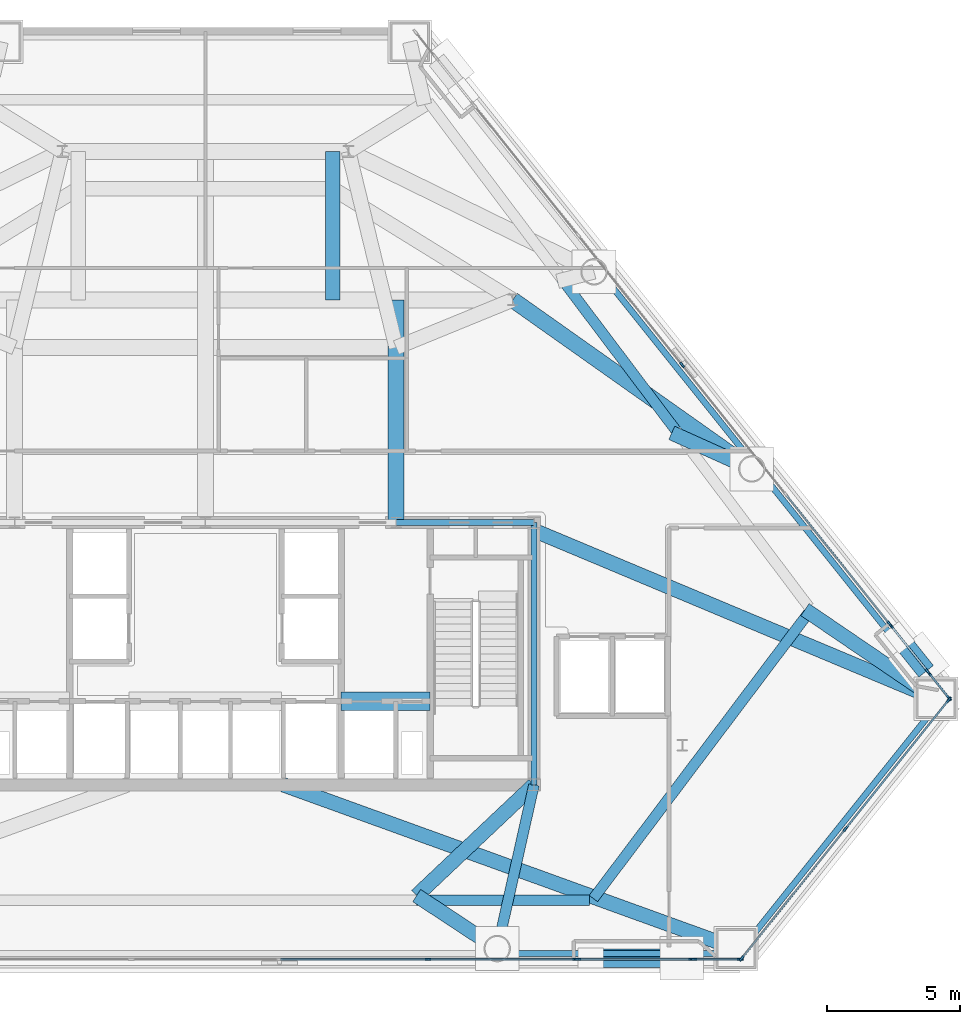
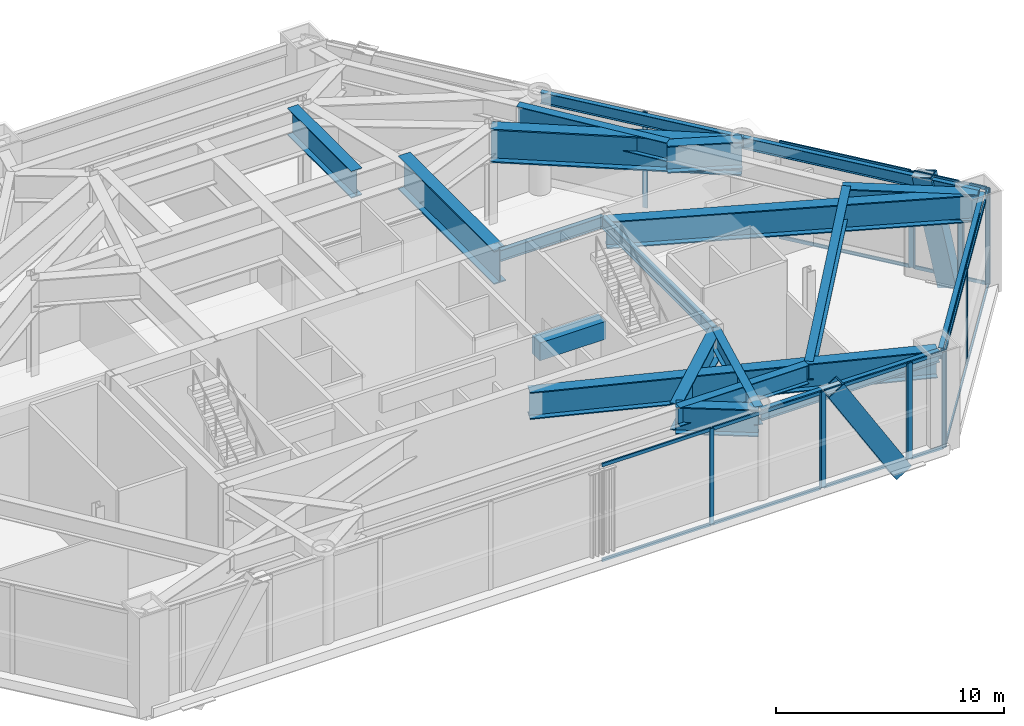
# One storey, part 5 of 13: 35 members, 20 beams, 7 elements without a shape of their own.
"""IFC4 building model written with IfcOpenShell, lengths in metres."""

from ifc_helpers import new_model, si_unit, direction, frame, origin, origin_2d, place, context, subcontext, project, spatial, rectangle, hollow_rectangle, i_section, extrude, material, layer, layer_set, material_profile, profile_set, type_object, element, aggregate, save


model = new_model("IFC4")

# Units and contexts
model_context = context("Model", 3, precision=1e-05, world=origin(), true_north=direction((0.0, 1.0)))
body_context = subcontext(model_context, "Body", "Model", "MODEL_VIEW")
ifc_project = project(units=[si_unit("LENGTHUNIT", "METRE"), si_unit("AREAUNIT", "SQUARE_METRE"), si_unit("VOLUMEUNIT", "CUBIC_METRE"), si_unit("PLANEANGLEUNIT", "RADIAN"), si_unit("MASSUNIT", "GRAM", prefix="KILO")], contexts=[model_context])

# Site, building, storey
site_placement = place(None, origin())
site = spatial("IfcSite", under=ifc_project, at=site_placement, CompositionType="ELEMENT")
building_placement = place(site_placement, origin())
building = spatial("IfcBuilding", under=site, at=building_placement, Name="Talgorran Terracotta Tower", CompositionType="ELEMENT")
storey_placement = place(building_placement, frame((0.0, 0.0, 18.89990234375)))
storey = spatial("IfcBuildingStorey", under=building, at=storey_placement, Name="L04", CompositionType="ELEMENT", Elevation=18.89990234375)

# Beams
ifc_material_1 = material(Name="Steel Grade 350 (350L0)", Category="steel")
ifc_material_profile_1 = material_profile(ifc_material_1, i_section(OverallWidth=0.39990234375, OverallDepth=1.0, WebThickness=0.01611328125, FlangeThickness=0.031005859375, at=origin_2d()), Name="1000WB296")
ifc_profile_set_1 = profile_set([ifc_material_profile_1], Name="Steel Grade 350 (350L0)")
beam_type_1 = type_object("IfcBeamType", Name="BM_1000WB296", PredefinedType="BEAM", material=ifc_profile_set_1)
beam_1_placement = place(storey_placement, frame((12.39990234375, -14.10009765625, 4.650146484375), z_axis=(-0.219093011867, -0.975703977726, 0.0), x_axis=(0.975703977726, -0.219093011867, 0.0)))
element("IfcBeam", 1, at=beam_1_placement, inside=storey, type_object=beam_type_1, Name="L04 South-East Core Tie Beam", PredefinedType="BEAM", context=body_context, shape_type="SweptSolid", body=[
    extrude(i_section(OverallWidth=0.39990234375, OverallDepth=1.0, WebThickness=0.01611328125, FlangeThickness=0.031005859375, at=origin_2d()), origin(), (0.0, 0.0, 1.0), 6.333740234375),
])
beam_2_placement = place(storey_placement, frame((7.97265625, -18.4599609375, 4.650146484375), z_axis=(1.0, 0.0, 0.0), x_axis=(0.0, 1.0, 0.0)))
element("IfcBeam", 2, at=beam_2_placement, inside=storey, type_object=beam_type_1, Name="L04 Setback Inner Spandrel Girder 4", PredefinedType="BEAM", context=body_context, shape_type="SweptSolid", body=[
    extrude(i_section(OverallWidth=0.39990234375, OverallDepth=1.0, WebThickness=0.01611328125, FlangeThickness=0.031005859375, at=origin_2d()), origin(), (0.0, 0.0, 1.0), 6.523193359375),
])
beam_3_placement = place(storey_placement, frame((14.6396484375, -18.38818359375, 4.650146484375), z_axis=(0.601820005964, 0.798631755205, 0.0), x_axis=(-0.798631755205, 0.601820005964, 0.0)))
element("IfcBeam", 3, at=beam_3_placement, inside=storey, type_object=beam_type_1, Name="L04 Setback Inner Spandrel Girder 5", PredefinedType="BEAM", context=body_context, shape_type="SweptSolid", body=[
    extrude(i_section(OverallWidth=0.39990234375, OverallDepth=1.0, WebThickness=0.01611328125, FlangeThickness=0.031005859375, at=origin_2d()), origin(), (0.0, 0.0, 1.0), 13.510009765625),
])
beam_4_placement = place(storey_placement, frame((17.7431640625, -0.710693359375, 4.650146484375), z_axis=(-0.601837001902, 0.798618947397, 0.0), x_axis=(-0.798618947397, -0.601837001902, 0.0)))
element("IfcBeam", 4, at=beam_4_placement, inside=storey, type_object=beam_type_1, Name="L04 Setback Inner Spandrel Girder 7", PredefinedType="BEAM", context=body_context, shape_type="SweptSolid", body=[
    extrude(i_section(OverallWidth=0.39990234375, OverallDepth=1.0, WebThickness=0.01611328125, FlangeThickness=0.031005859375, at=origin_2d()), origin(), (0.0, 0.0, 1.0), 7.159912109375),
])
ifc_material_2 = material(Name="Concrete C65/80", Category="concrete")
ifc_material_profile_2 = material_profile(ifc_material_2, rectangle(XDim=0.699951171875, YDim=0.949951171875, at=origin_2d()), Name="RCCB700X950")
ifc_profile_set_2 = profile_set([ifc_material_profile_2], Name="Concrete C65/80")
beam_type_2 = type_object("IfcBeamType", Name="BM_CB_700X950", PredefinedType="LINTEL", material=ifc_profile_set_2)
beam_5_placement = place(storey_placement, frame((5.1201171875, -10.949951171875, 4.675048828125), z_axis=(1.0, 0.0, 0.0), x_axis=(0.0, 1.0, 0.0)))
element("IfcBeam", 5, at=beam_5_placement, inside=storey, type_object=beam_type_2, Name="L04 Core Shear-Wall Coupling Beam CB3", PredefinedType="LINTEL", context=body_context, shape_type="SweptSolid", body=[
    extrude(rectangle(XDim=0.699951171875, YDim=0.949951171875, at=origin_2d()), origin(), (0.0, 0.0, 1.0), 3.35986328125),
])
ifc_material_3 = material(Name="Steel S355 (300PLUS)", Category="steel")
ifc_material_profile_3 = material_profile(ifc_material_3, i_section(OverallWidth=0.22900390625, OverallDepth=0.611572265625, WebThickness=0.011962890625, FlangeThickness=0.01953125, at=origin_2d()), Name="610UB125")
ifc_profile_set_3 = profile_set([ifc_material_profile_3], Name="Steel S355 (300PLUS)")
beam_type_3 = type_object("IfcBeamType", Name="BM_SP_610UB125", PredefinedType="SPANDREL", material=ifc_profile_set_3)
beam_6_placement = place(storey_placement, frame((11.01220703125, -20.4599609375, 4.84423828125), z_axis=(1.0, 0.0, 0.0), x_axis=(0.0, 1.0, 0.0)))
element("IfcBeam", 6, at=beam_6_placement, inside=storey, type_object=beam_type_3, Name="L04 Perimeter Spandrel Beam FC2-MC3", PredefinedType="SPANDREL", context=body_context, shape_type="SweptSolid", body=[
    extrude(i_section(OverallWidth=0.22900390625, OverallDepth=0.611572265625, WebThickness=0.011962890625, FlangeThickness=0.01953125, at=origin_2d()), origin(), (0.0, 0.0, 1.0), 9.010009765625),
])
beam_7_placement = place(storey_placement, frame((20.16259765625, -20.392578125, 4.84423828125), z_axis=(0.625116627788, 0.780531358539, 0.0), x_axis=(-0.780531358539, 0.625116627788, 0.0)))
element("IfcBeam", 7, at=beam_7_placement, inside=storey, type_object=beam_type_3, Name="L04 Perimeter Spandrel Beam MC3-MC4", PredefinedType="SPANDREL", context=body_context, shape_type="SweptSolid", body=[
    extrude(i_section(OverallWidth=0.22900390625, OverallDepth=0.611572265625, WebThickness=0.011962890625, FlangeThickness=0.01953125, at=origin_2d()), origin(), (0.0, 0.0, 1.0), 12.073974609375),
])
beam_8_placement = place(storey_placement, frame((27.710205078125, -10.743408203125, 4.84423828125), z_axis=(-0.625126142132, 0.780523738539, 0.0), x_axis=(-0.780523738539, -0.625126142132, 0.0)))
element("IfcBeam", 8, at=beam_8_placement, inside=storey, type_object=beam_type_3, Name="L04 Perimeter Spandrel Beam MC4-FC3", PredefinedType="SPANDREL", context=body_context, shape_type="SweptSolid", body=[
    extrude(i_section(OverallWidth=0.22900390625, OverallDepth=0.611572265625, WebThickness=0.011962890625, FlangeThickness=0.01953125, at=origin_2d()), origin(), (0.0, 0.0, 1.0), 11.116943359375),
])
beam_9_placement = place(storey_placement, frame((20.7607421875, -2.06640625, 4.84423828125), z_axis=(-0.625101149619, 0.780543754536, 0.0), x_axis=(-0.780543754536, -0.625101149619, 0.0)))
element("IfcBeam", 9, at=beam_9_placement, inside=storey, type_object=beam_type_3, Name="L04 Perimeter Spandrel Beam FC3-FC4", PredefinedType="SPANDREL", context=body_context, shape_type="SweptSolid", body=[
    extrude(i_section(OverallWidth=0.22900390625, OverallDepth=0.611572265625, WebThickness=0.011962890625, FlangeThickness=0.01953125, at=origin_2d()), origin(), (0.0, 0.0, 1.0), 9.52880859375),
])
beam_10_placement = place(storey_placement, frame((12.39990234375, -14.10009765625, 4.84423828125), z_axis=(0.0, 1.0, 0.0), x_axis=(-1.0, 0.0, 0.0)))
element("IfcBeam", 10, at=beam_10_placement, inside=storey, type_object=beam_type_3, Name="L04 Core Frame Beam CFE", PredefinedType="SPANDREL", context=body_context, shape_type="SweptSolid", body=[
    extrude(i_section(OverallWidth=0.22900390625, OverallDepth=0.611572265625, WebThickness=0.011962890625, FlangeThickness=0.01953125, at=origin_2d()), origin(), (0.0, 0.0, 1.0), 9.900146484375),
])
beam_11_placement = place(storey_placement, frame((7.199951171875, -4.199951171875, 4.84423828125), z_axis=(1.0, 0.0, 0.0), x_axis=(0.0, 1.0, 0.0)))
element("IfcBeam", 11, at=beam_11_placement, inside=storey, type_object=beam_type_3, Name="L04 Core Frame Beam CFN4", PredefinedType="SPANDREL", context=body_context, shape_type="SweptSolid", body=[
    extrude(i_section(OverallWidth=0.22900390625, OverallDepth=0.611572265625, WebThickness=0.011962890625, FlangeThickness=0.01953125, at=origin_2d()), origin(), (0.0, 0.0, 1.0), 5.199951171875),
])
ifc_material_profile_4 = material_profile(ifc_material_1, i_section(OverallWidth=0.550048828125, OverallDepth=1.449951171875, WebThickness=0.031982421875, FlangeThickness=0.054931640625, at=origin_2d()), Name="TG1450X550")
ifc_profile_set_4 = profile_set([ifc_material_profile_4], Name="Steel Grade 350 (350L0)")
beam_type_4 = type_object("IfcBeamType", Name="BM_TG_1450", PredefinedType="BEAM", material=ifc_profile_set_4)
beam_12_placement = place(storey_placement, frame((11.01220703125, -20.280029296875, 4.425048828125), z_axis=(-0.835379785205, 0.549673188787, 0.0), x_axis=(-0.549673188787, -0.835379785205, 0.0)))
element("IfcBeam", 12, at=beam_12_placement, inside=storey, type_object=beam_type_4, Name="L04 Transfer Girder 4A", PredefinedType="BEAM", context=body_context, shape_type="SweptSolid", body=[
    extrude(i_section(OverallWidth=0.550048828125, OverallDepth=1.449951171875, WebThickness=0.031982421875, FlangeThickness=0.054931640625, at=origin_2d()), origin(), (0.0, 0.0, 1.0), 3.638427734375),
])
beam_13_placement = place(storey_placement, frame((7.97265625, -18.280029296875, 4.425048828125), z_axis=(0.727124342691, 0.686505783126, 0.0), x_axis=(-0.686505783126, 0.727124342691, 0.0)))
element("IfcBeam", 13, at=beam_13_placement, inside=storey, type_object=beam_type_4, Name="L04 Transfer Girder 4B", PredefinedType="BEAM", context=body_context, shape_type="SweptSolid", body=[
    extrude(i_section(OverallWidth=0.550048828125, OverallDepth=1.449951171875, WebThickness=0.031982421875, FlangeThickness=0.054931640625, at=origin_2d()), origin(), (0.0, 0.0, 1.0), 6.088623046875),
])
beam_14_placement = place(storey_placement, frame((20.022216796875, -20.280029296875, 4.425048828125), z_axis=(-0.940317108943, 0.340299477856, 0.0), x_axis=(-0.340299477856, -0.940317108943, 0.0)))
element("IfcBeam", 14, at=beam_14_placement, inside=storey, type_object=beam_type_4, Name="L04 Transfer Girder 5", PredefinedType="BEAM", context=body_context, shape_type="SweptSolid", body=[
    extrude(i_section(OverallWidth=0.550048828125, OverallDepth=1.449951171875, WebThickness=0.031982421875, FlangeThickness=0.054931640625, at=origin_2d()), origin(), (0.0, 0.0, 1.0), 18.16015625),
])
beam_15_placement = place(storey_placement, frame((27.56982421875, -10.85595703125, 4.425048828125), z_axis=(-0.922316262941, 0.38643590816, 0.0), x_axis=(-0.38643590816, -0.922316262941, 0.0)))
element("IfcBeam", 15, at=beam_15_placement, inside=storey, type_object=beam_type_4, Name="L04 Transfer Girder 6", PredefinedType="BEAM", context=body_context, shape_type="SweptSolid", body=[
    extrude(i_section(OverallWidth=0.550048828125, OverallDepth=1.449951171875, WebThickness=0.031982421875, FlangeThickness=0.054931640625, at=origin_2d()), origin(), (0.0, 0.0, 1.0), 16.44775390625),
])
beam_16_placement = place(storey_placement, frame((27.56982421875, -10.85595703125, 4.425048828125), z_axis=(-0.826615814454, 0.56276664373, 0.0), x_axis=(-0.56276664373, -0.826615814454, 0.0)))
element("IfcBeam", 16, at=beam_16_placement, inside=storey, type_object=beam_type_4, Name="L04 Transfer Girder 6A", PredefinedType="BEAM", context=body_context, shape_type="SweptSolid", body=[
    extrude(i_section(OverallWidth=0.550048828125, OverallDepth=1.449951171875, WebThickness=0.031982421875, FlangeThickness=0.054931640625, at=origin_2d()), origin(), (0.0, 0.0, 1.0), 5.980224609375),
])
beam_17_placement = place(storey_placement, frame((20.620361328125, -2.1787109375, 4.425048828125), z_axis=(-0.911902199441, 0.410407576264, 0.0), x_axis=(-0.410407576264, -0.911902199441, 0.0)))
element("IfcBeam", 17, at=beam_17_placement, inside=storey, type_object=beam_type_4, Name="L04 Transfer Girder 7A", PredefinedType="BEAM", context=body_context, shape_type="SweptSolid", body=[
    extrude(i_section(OverallWidth=0.550048828125, OverallDepth=1.449951171875, WebThickness=0.031982421875, FlangeThickness=0.054931640625, at=origin_2d()), origin(), (0.0, 0.0, 1.0), 3.312744140625),
])
beam_18_placement = place(storey_placement, frame((4.800048828125, 4.199951171875, 4.425048828125), z_axis=(0.0, 1.0, 0.0), x_axis=(-1.0, 0.0, 0.0)))
element("IfcBeam", 18, at=beam_18_placement, inside=storey, type_object=beam_type_4, Name="L04 Transfer Girder TG13E", PredefinedType="BEAM", context=body_context, shape_type="SweptSolid", body=[
    extrude(i_section(OverallWidth=0.550048828125, OverallDepth=1.449951171875, WebThickness=0.031982421875, FlangeThickness=0.054931640625, at=origin_2d()), origin(), (0.0, 0.0, 1.0), 5.60009765625),
])
ifc_material_profile_5 = material_profile(ifc_material_1, i_section(OverallWidth=0.60009765625, OverallDepth=1.800048828125, WebThickness=0.035888671875, FlangeThickness=0.06494140625, at=origin_2d()), Name="TG1800X600")
ifc_profile_set_5 = profile_set([ifc_material_profile_5], Name="Steel Grade 350 (350L0)")
beam_type_5 = type_object("IfcBeamType", Name="BM_TG_1800", PredefinedType="BEAM", material=ifc_profile_set_5)
beam_19_placement = place(storey_placement, frame((11.60009765625, 4.199951171875, 4.25), z_axis=(0.816480686171, -0.577372747113, 0.0), x_axis=(0.577372747113, 0.816480686171, 0.0)))
element("IfcBeam", 19, at=beam_19_placement, inside=storey, type_object=beam_type_5, Name="L04 Transfer Girder TG04B", PredefinedType="BEAM", context=body_context, shape_type="SweptSolid", body=[
    extrude(i_section(OverallWidth=0.60009765625, OverallDepth=1.800048828125, WebThickness=0.035888671875, FlangeThickness=0.06494140625, at=origin_2d()), origin(), (0.0, 0.0, 1.0), 11.0478515625),
])
beam_20_placement = place(storey_placement, frame((7.199951171875, -4.199951171875, 4.25), z_axis=(0.0, 1.0, 0.0), x_axis=(-1.0, 0.0, 0.0)))
element("IfcBeam", 20, at=beam_20_placement, inside=storey, type_object=beam_type_5, Name="L04 Transfer Girder TG02", PredefinedType="BEAM", context=body_context, shape_type="SweptSolid", body=[
    extrude(i_section(OverallWidth=0.60009765625, OverallDepth=1.800048828125, WebThickness=0.035888671875, FlangeThickness=0.06494140625, at=origin_2d()), origin(), (0.0, 0.0, 1.0), 8.39990234375),
])

# Members
ifc_material_profile_6 = material_profile(ifc_material_1, hollow_rectangle(XDim=0.699951171875, YDim=0.89990234375, WallThickness=0.050048828125, at=origin_2d()), Name="WBOX900X700X50")
ifc_profile_set_6 = profile_set([ifc_material_profile_6], Name="Steel Grade 350 (350L0)")
member_type_1 = type_object("IfcMemberType", Name="MB_MEGA_900", PredefinedType="BRACE", material=ifc_profile_set_6)
member_1_placement = place(storey_placement, frame((17.9736328125, -20.639892578125, -0.419921875), z_axis=(-0.522997183998, 0.0, 0.852334409449), x_axis=(0.0, -1.0, 0.0)))
element("IfcMember", 21, at=member_1_placement, inside=storey, type_object=member_type_1, Name="L04 Exterior Face Mega-Brace MB-1 (SEF)", PredefinedType="BRACE", context=body_context, shape_type="SweptSolid", body=[
    extrude(hollow_rectangle(XDim=0.699951171875, YDim=0.89990234375, WallThickness=0.050048828125, at=origin_2d()), origin(), (0.0, 0.0, 1.0), 6.564208984375),
])
member_2_placement = place(storey_placement, frame((26.923095703125, -9.47265625, -0.419921875), z_axis=(-0.13029399466, 0.162686114525, 0.978037168566), x_axis=(-0.780529099081, -0.625119448976, 0.0)))
element("IfcMember", 22, at=member_2_placement, inside=storey, type_object=member_type_1, Name="L04 Exterior Face Mega-Brace MB-1 (NEL)", PredefinedType="BRACE", context=body_context, shape_type="SweptSolid", body=[
    extrude(hollow_rectangle(XDim=0.699951171875, YDim=0.89990234375, WallThickness=0.050048828125, at=origin_2d()), origin(), (0.0, 0.0, 1.0), 5.720703125),
])

# Curtain wall, members
ifc_material_4 = material(Name="Terracotta and Low-E Glazing", Category="masonry")
ifc_layer = layer(ifc_material_4, 0.219970703125, Name="CW_SYS1_PODIUM")
ifc_layer_set = layer_set([ifc_layer], Name="Terracotta and Low-E Glazing")
curtain_wall_type = type_object("IfcCurtainWallType", Name="CW_SYS1_PODIUM", PredefinedType="NOTDEFINED", material=ifc_layer_set)
curtain_wall_1_placement = place(storey_placement, origin())
curtain_wall_1 = element("IfcCurtainWall", 23, at=curtain_wall_1_placement, inside=storey, type_object=curtain_wall_type, Name="CW-L04-F1C", PredefinedType="NOTDEFINED")
ifc_material_5 = material(Name="Architectural Aluminium 6063-T6", Category="aluminium")
ifc_material_profile_7 = material_profile(ifc_material_5, rectangle(XDim=0.074951171875, YDim=0.219970703125, at=origin_2d()), Name="CWM75X220")
ifc_profile_set_7 = profile_set([ifc_material_profile_7], Name="Architectural Aluminium 6063-T6")
member_type_2 = type_object("IfcMemberType", Name="MUL_75X220", PredefinedType="MULLION", material=ifc_profile_set_7)
member_3_placement = place(storey_placement, frame((8.401123046875, -20.679931640625, 0.0), z_axis=(0.0, 0.0, 1.0), x_axis=(0.0, 1.0, 0.0)))
member_3 = element("IfcMember", 24, at=member_3_placement, type_object=member_type_2, Name="CW-L04-1C mullion 5", PredefinedType="MULLION", context=body_context, shape_type="SweptSolid", body=[
    extrude(rectangle(XDim=0.074951171875, YDim=0.219970703125, at=origin_2d()), origin(), (0.0, 0.0, 1.0), 5.150146484375),
])
member_4_placement = place(storey_placement, frame((13.964599609375, -20.679931640625, 0.0), z_axis=(0.0, 0.0, 1.0), x_axis=(0.0, 1.0, 0.0)))
member_4 = element("IfcMember", 25, at=member_4_placement, type_object=member_type_2, Name="CW-L04-1C mullion 6", PredefinedType="MULLION", context=body_context, shape_type="SweptSolid", body=[
    extrude(rectangle(XDim=0.074951171875, YDim=0.219970703125, at=origin_2d()), origin(), (0.0, 0.0, 1.0), 5.150146484375),
])

curtain_wall_2_placement = place(storey_placement, origin())
curtain_wall_2 = element("IfcCurtainWall", 26, at=curtain_wall_2_placement, inside=storey, type_object=curtain_wall_type, Name="CW-L04-F1D", PredefinedType="NOTDEFINED")
member_5_placement = place(storey_placement, frame((14.049560546875, -20.679931640625, 0.0), z_axis=(0.0, 0.0, 1.0), x_axis=(0.0, 1.0, 0.0)))
member_5 = element("IfcMember", 27, at=member_5_placement, type_object=member_type_2, Name="CW-L04-1D mullion 1", PredefinedType="MULLION", context=body_context, shape_type="SweptSolid", body=[
    extrude(rectangle(XDim=0.074951171875, YDim=0.219970703125, at=origin_2d()), origin(), (0.0, 0.0, 1.0), 5.150146484375),
])
member_6_placement = place(storey_placement, frame((18.351318359375, -20.679931640625, 0.0), z_axis=(0.0, 0.0, 1.0), x_axis=(0.0, 1.0, 0.0)))
member_6 = element("IfcMember", 28, at=member_6_placement, type_object=member_type_2, Name="CW-L04-1D mullion 2", PredefinedType="MULLION", context=body_context, shape_type="SweptSolid", body=[
    extrude(rectangle(XDim=0.074951171875, YDim=0.219970703125, at=origin_2d()), origin(), (0.0, 0.0, 1.0), 5.150146484375),
])

curtain_wall_3_placement = place(storey_placement, origin())
curtain_wall_3 = element("IfcCurtainWall", 29, at=curtain_wall_3_placement, inside=storey, type_object=curtain_wall_type, Name="CW-L04-F1E", PredefinedType="NOTDEFINED")
member_7_placement = place(storey_placement, frame((18.436279296875, -20.679931640625, 0.0), z_axis=(0.0, 0.0, 1.0), x_axis=(0.0, 1.0, 0.0)))
member_7 = element("IfcMember", 30, at=member_7_placement, type_object=member_type_2, Name="CW-L04-1E mullion 1", PredefinedType="MULLION", context=body_context, shape_type="SweptSolid", body=[
    extrude(rectangle(XDim=0.074951171875, YDim=0.219970703125, at=origin_2d()), origin(), (0.0, 0.0, 1.0), 5.150146484375),
])
member_8_placement = place(storey_placement, frame((20.177001953125, -20.679931640625, 0.0), z_axis=(0.0, 0.0, 1.0), x_axis=(0.0, 1.0, 0.0)))
member_8 = element("IfcMember", 31, at=member_8_placement, type_object=member_type_2, Name="CW-L04-1E mullion 2", PredefinedType="MULLION", context=body_context, shape_type="SweptSolid", body=[
    extrude(rectangle(XDim=0.074951171875, YDim=0.219970703125, at=origin_2d()), origin(), (0.0, 0.0, 1.0), 5.150146484375),
])

curtain_wall_4_placement = place(storey_placement, origin())
curtain_wall_4 = element("IfcCurtainWall", 32, at=curtain_wall_4_placement, inside=storey, type_object=curtain_wall_type, Name="CW-L04-F2", PredefinedType="NOTDEFINED")
member_9_placement = place(storey_placement, frame((20.23779296875, -20.650634765625, 0.0), z_axis=(0.0, 0.0, 1.0), x_axis=(-0.780531511293, 0.625116437056, 0.0)))
member_9 = element("IfcMember", 33, at=member_9_placement, type_object=member_type_2, Name="CW-L04-2 mullion 1", PredefinedType="MULLION", context=body_context, shape_type="SweptSolid", body=[
    extrude(rectangle(XDim=0.074951171875, YDim=0.219970703125, at=origin_2d()), origin(), (0.0, 0.0, 1.0), 5.150146484375),
])
member_10_placement = place(storey_placement, frame((24.1484375, -15.76806640625, 0.0), z_axis=(0.0, 0.0, 1.0), x_axis=(-0.780531511293, 0.625116437056, 0.0)))
member_10 = element("IfcMember", 34, at=member_10_placement, type_object=member_type_2, Name="CW-L04-2 mullion 2", PredefinedType="MULLION", context=body_context, shape_type="SweptSolid", body=[
    extrude(rectangle(XDim=0.074951171875, YDim=0.219970703125, at=origin_2d()), origin(), (0.0, 0.0, 1.0), 5.150146484375),
])
member_11_placement = place(storey_placement, frame((28.058837890625, -10.88525390625, 0.0), z_axis=(0.0, 0.0, 1.0), x_axis=(-0.780531511293, 0.625116437056, 0.0)))
member_11 = element("IfcMember", 35, at=member_11_placement, type_object=member_type_2, Name="CW-L04-2 mullion 3", PredefinedType="MULLION", context=body_context, shape_type="SweptSolid", body=[
    extrude(rectangle(XDim=0.074951171875, YDim=0.219970703125, at=origin_2d()), origin(), (0.0, 0.0, 1.0), 5.150146484375),
])

curtain_wall_5_placement = place(storey_placement, origin())
curtain_wall_5 = element("IfcCurtainWall", 36, at=curtain_wall_5_placement, inside=storey, type_object=curtain_wall_type, Name="CW-L04-F3", PredefinedType="NOTDEFINED")
member_12_placement = place(storey_placement, frame((28.058837890625, -10.82666015625, 0.0), z_axis=(0.0, 0.0, 1.0), x_axis=(-0.780548295566, -0.625095479338, 0.0)))
member_12 = element("IfcMember", 37, at=member_12_placement, type_object=member_type_2, Name="CW-L04-3 mullion 1", PredefinedType="MULLION", context=body_context, shape_type="SweptSolid", body=[
    extrude(rectangle(XDim=0.074951171875, YDim=0.219970703125, at=origin_2d()), origin(), (0.0, 0.0, 1.0), 5.150146484375),
])
member_13_placement = place(storey_placement, frame((27.306396484375, -9.886962890625, 0.0), z_axis=(0.0, 0.0, 1.0), x_axis=(-0.780548295566, -0.625095479338, 0.0)))
member_13 = element("IfcMember", 38, at=member_13_placement, type_object=member_type_2, Name="CW-L04-3 mullion 2", PredefinedType="MULLION", context=body_context, shape_type="SweptSolid", body=[
    extrude(rectangle(XDim=0.074951171875, YDim=0.219970703125, at=origin_2d()), origin(), (0.0, 0.0, 1.0), 5.150146484375),
])

curtain_wall_6_placement = place(storey_placement, origin())
curtain_wall_6 = element("IfcCurtainWall", 39, at=curtain_wall_6_placement, inside=storey, type_object=curtain_wall_type, Name="CW-L04-F3B", PredefinedType="NOTDEFINED")
member_14_placement = place(storey_placement, frame((27.253173828125, -9.82080078125, 0.0), z_axis=(0.0, 0.0, 1.0), x_axis=(-0.780541073013, -0.625104497936, 0.0)))
member_14 = element("IfcMember", 40, at=member_14_placement, type_object=member_type_2, Name="CW-L04-3B mullion 1", PredefinedType="MULLION", context=body_context, shape_type="SweptSolid", body=[
    extrude(rectangle(XDim=0.074951171875, YDim=0.219970703125, at=origin_2d()), origin(), (0.0, 0.0, 1.0), 5.150146484375),
])
member_15_placement = place(storey_placement, frame((25.86669921875, -8.089599609375, 0.0), z_axis=(0.0, 0.0, 1.0), x_axis=(-0.780541073013, -0.625104497936, 0.0)))
member_15 = element("IfcMember", 41, at=member_15_placement, type_object=member_type_2, Name="CW-L04-3B mullion 2", PredefinedType="MULLION", context=body_context, shape_type="SweptSolid", body=[
    extrude(rectangle(XDim=0.074951171875, YDim=0.219970703125, at=origin_2d()), origin(), (0.0, 0.0, 1.0), 5.150146484375),
])

curtain_wall_7_placement = place(storey_placement, origin())
curtain_wall_7 = element("IfcCurtainWall", 42, at=curtain_wall_7_placement, inside=storey, type_object=curtain_wall_type, Name="CW-L04-F3C", PredefinedType="NOTDEFINED")
member_16_placement = place(storey_placement, frame((25.8134765625, -8.023193359375, 0.0), z_axis=(0.0, 0.0, 1.0), x_axis=(-0.780532542614, -0.625115149329, 0.0)))
member_16 = element("IfcMember", 43, at=member_16_placement, type_object=member_type_2, Name="CW-L04-3C mullion 1", PredefinedType="MULLION", context=body_context, shape_type="SweptSolid", body=[
    extrude(rectangle(XDim=0.074951171875, YDim=0.219970703125, at=origin_2d()), origin(), (0.0, 0.0, 1.0), 5.150146484375),
])
member_17_placement = place(storey_placement, frame((17.990234375, 1.7451171875, 0.0), z_axis=(0.0, 0.0, 1.0), x_axis=(-0.780532542614, -0.625115149329, 0.0)))
member_17 = element("IfcMember", 44, at=member_17_placement, type_object=member_type_2, Name="CW-L04-3C mullion 3", PredefinedType="MULLION", context=body_context, shape_type="SweptSolid", body=[
    extrude(rectangle(XDim=0.074951171875, YDim=0.219970703125, at=origin_2d()), origin(), (0.0, 0.0, 1.0), 5.150146484375),
])

# Member
ifc_material_profile_8 = material_profile(ifc_material_5, rectangle(XDim=0.074951171875, YDim=0.179931640625, at=origin_2d()), Name="CWT75X180")
ifc_profile_set_8 = profile_set([ifc_material_profile_8], Name="Architectural Aluminium 6063-T6")
member_type_3 = type_object("IfcMemberType", Name="TRN_75X180", PredefinedType="USERDEFINED", material=ifc_profile_set_8)
member_18_placement = place(storey_placement, frame((2.837890625, -20.679931640625, 0.03759765625), z_axis=(1.0, 0.0, 0.0), x_axis=(0.0, 1.0, 0.0)))
member_18 = element("IfcMember", 45, at=member_18_placement, type_object=member_type_3, Name="CW-L04-1C transom 4.1", ObjectType="TRANSOM", PredefinedType="USERDEFINED", context=body_context, shape_type="SweptSolid", body=[
    extrude(rectangle(XDim=0.074951171875, YDim=0.179931640625, at=origin_2d()), origin(), (0.0, 0.0, 1.0), 5.52587890625),
])

member_19_placement = place(storey_placement, frame((2.837890625, -20.679931640625, 5.112548828125), z_axis=(1.0, 0.0, 0.0), x_axis=(0.0, 1.0, 0.0)))
member_19 = element("IfcMember", 46, at=member_19_placement, type_object=member_type_3, Name="CW-L04-1C transom 4.2", ObjectType="TRANSOM", PredefinedType="USERDEFINED", context=body_context, shape_type="SweptSolid", body=[
    extrude(rectangle(XDim=0.074951171875, YDim=0.179931640625, at=origin_2d()), origin(), (0.0, 0.0, 1.0), 5.52587890625),
])

member_20_placement = place(storey_placement, frame((8.438720703125, -20.679931640625, 0.03759765625), z_axis=(1.0, 0.0, 0.0), x_axis=(0.0, 1.0, 0.0)))
member_20 = element("IfcMember", 47, at=member_20_placement, type_object=member_type_3, Name="CW-L04-1C transom 5.1", ObjectType="TRANSOM", PredefinedType="USERDEFINED", context=body_context, shape_type="SweptSolid", body=[
    extrude(rectangle(XDim=0.074951171875, YDim=0.179931640625, at=origin_2d()), origin(), (0.0, 0.0, 1.0), 5.48828125),
])

member_21_placement = place(storey_placement, frame((8.438720703125, -20.679931640625, 5.112548828125), z_axis=(1.0, 0.0, 0.0), x_axis=(0.0, 1.0, 0.0)))
member_21 = element("IfcMember", 48, at=member_21_placement, type_object=member_type_3, Name="CW-L04-1C transom 5.2", ObjectType="TRANSOM", PredefinedType="USERDEFINED", context=body_context, shape_type="SweptSolid", body=[
    extrude(rectangle(XDim=0.074951171875, YDim=0.179931640625, at=origin_2d()), origin(), (0.0, 0.0, 1.0), 5.48828125),
])

aggregate(curtain_wall_1, [member_3, member_4, member_18, member_19, member_20, member_21])

member_22_placement = place(storey_placement, frame((14.0869140625, -20.679931640625, 0.03759765625), z_axis=(1.0, 0.0, 0.0), x_axis=(0.0, 1.0, 0.0)))
member_22 = element("IfcMember", 49, at=member_22_placement, type_object=member_type_3, Name="CW-L04-1D transom 1.1", ObjectType="TRANSOM", PredefinedType="USERDEFINED", context=body_context, shape_type="SweptSolid", body=[
    extrude(rectangle(XDim=0.074951171875, YDim=0.179931640625, at=origin_2d()), origin(), (0.0, 0.0, 1.0), 4.22705078125),
])

member_23_placement = place(storey_placement, frame((14.0869140625, -20.679931640625, 5.112548828125), z_axis=(1.0, 0.0, 0.0), x_axis=(0.0, 1.0, 0.0)))
member_23 = element("IfcMember", 50, at=member_23_placement, type_object=member_type_3, Name="CW-L04-1D transom 1.2", ObjectType="TRANSOM", PredefinedType="USERDEFINED", context=body_context, shape_type="SweptSolid", body=[
    extrude(rectangle(XDim=0.074951171875, YDim=0.179931640625, at=origin_2d()), origin(), (0.0, 0.0, 1.0), 4.22705078125),
])

aggregate(curtain_wall_2, [member_5, member_6, member_22, member_23])

member_24_placement = place(storey_placement, frame((18.473876953125, -20.679931640625, 0.03759765625), z_axis=(1.0, 0.0, 0.0), x_axis=(0.0, 1.0, 0.0)))
member_24 = element("IfcMember", 51, at=member_24_placement, type_object=member_type_3, Name="CW-L04-1E transom 1.1", ObjectType="TRANSOM", PredefinedType="USERDEFINED", context=body_context, shape_type="SweptSolid", body=[
    extrude(rectangle(XDim=0.074951171875, YDim=0.179931640625, at=origin_2d()), origin(), (0.0, 0.0, 1.0), 1.66552734375),
])

member_25_placement = place(storey_placement, frame((18.473876953125, -20.679931640625, 5.112548828125), z_axis=(1.0, 0.0, 0.0), x_axis=(0.0, 1.0, 0.0)))
member_25 = element("IfcMember", 52, at=member_25_placement, type_object=member_type_3, Name="CW-L04-1E transom 1.2", ObjectType="TRANSOM", PredefinedType="USERDEFINED", context=body_context, shape_type="SweptSolid", body=[
    extrude(rectangle(XDim=0.074951171875, YDim=0.179931640625, at=origin_2d()), origin(), (0.0, 0.0, 1.0), 1.66552734375),
])

aggregate(curtain_wall_3, [member_7, member_8, member_24, member_25])

member_26_placement = place(storey_placement, frame((20.26123046875, -20.62158203125, 0.03759765625), z_axis=(0.625128488892, 0.780521858999, 0.0), x_axis=(-0.780521858999, 0.625128488892, 0.0)))
member_26 = element("IfcMember", 53, at=member_26_placement, type_object=member_type_3, Name="CW-L04-2 transom 1.1", ObjectType="TRANSOM", PredefinedType="USERDEFINED", context=body_context, shape_type="SweptSolid", body=[
    extrude(rectangle(XDim=0.074951171875, YDim=0.179931640625, at=origin_2d()), origin(), (0.0, 0.0, 1.0), 6.1806640625),
])

member_27_placement = place(storey_placement, frame((20.26123046875, -20.62158203125, 5.112548828125), z_axis=(0.625128488892, 0.780521858999, 0.0), x_axis=(-0.780521858999, 0.625128488892, 0.0)))
member_27 = element("IfcMember", 54, at=member_27_placement, type_object=member_type_3, Name="CW-L04-2 transom 1.2", ObjectType="TRANSOM", PredefinedType="USERDEFINED", context=body_context, shape_type="SweptSolid", body=[
    extrude(rectangle(XDim=0.074951171875, YDim=0.179931640625, at=origin_2d()), origin(), (0.0, 0.0, 1.0), 6.1806640625),
])

member_28_placement = place(storey_placement, frame((24.171875, -15.73876953125, 0.03759765625), z_axis=(0.625104423976, 0.780541132244, 0.0), x_axis=(-0.780541132244, 0.625104423976, 0.0)))
member_28 = element("IfcMember", 55, at=member_28_placement, type_object=member_type_3, Name="CW-L04-2 transom 2.1", ObjectType="TRANSOM", PredefinedType="USERDEFINED", context=body_context, shape_type="SweptSolid", body=[
    extrude(rectangle(XDim=0.074951171875, YDim=0.179931640625, at=origin_2d()), origin(), (0.0, 0.0, 1.0), 6.1806640625),
])

member_29_placement = place(storey_placement, frame((24.171875, -15.73876953125, 5.112548828125), z_axis=(0.625104423976, 0.780541132244, 0.0), x_axis=(-0.780541132244, 0.625104423976, 0.0)))
member_29 = element("IfcMember", 56, at=member_29_placement, type_object=member_type_3, Name="CW-L04-2 transom 2.2", ObjectType="TRANSOM", PredefinedType="USERDEFINED", context=body_context, shape_type="SweptSolid", body=[
    extrude(rectangle(XDim=0.074951171875, YDim=0.179931640625, at=origin_2d()), origin(), (0.0, 0.0, 1.0), 6.1806640625),
])

aggregate(curtain_wall_4, [member_9, member_10, member_11, member_26, member_27, member_28, member_29])

member_30_placement = place(storey_placement, frame((28.035400390625, -10.79736328125, 0.03759765625), z_axis=(-0.62506424513, 0.780573308191, 0.0), x_axis=(-0.780573308191, -0.62506424513, 0.0)))
member_30 = element("IfcMember", 57, at=member_30_placement, type_object=member_type_3, Name="CW-L04-3 transom 1.1", ObjectType="TRANSOM", PredefinedType="USERDEFINED", context=body_context, shape_type="SweptSolid", body=[
    extrude(rectangle(XDim=0.074951171875, YDim=0.179931640625, at=origin_2d()), origin(), (0.0, 0.0, 1.0), 1.12890625),
])

member_31_placement = place(storey_placement, frame((28.035400390625, -10.79736328125, 5.112548828125), z_axis=(-0.62506424513, 0.780573308191, 0.0), x_axis=(-0.780573308191, -0.62506424513, 0.0)))
member_31 = element("IfcMember", 58, at=member_31_placement, type_object=member_type_3, Name="CW-L04-3 transom 1.2", ObjectType="TRANSOM", PredefinedType="USERDEFINED", context=body_context, shape_type="SweptSolid", body=[
    extrude(rectangle(XDim=0.074951171875, YDim=0.179931640625, at=origin_2d()), origin(), (0.0, 0.0, 1.0), 1.12890625),
])

aggregate(curtain_wall_5, [member_12, member_13, member_30, member_31])

member_32_placement = place(storey_placement, frame((27.229736328125, -9.79150390625, 0.03759765625), z_axis=(-0.625125657818, 0.780524126429, 0.0), x_axis=(-0.780524126429, -0.625125657818, 0.0)))
member_32 = element("IfcMember", 59, at=member_32_placement, type_object=member_type_3, Name="CW-L04-3B transom 1.1", ObjectType="TRANSOM", PredefinedType="USERDEFINED", context=body_context, shape_type="SweptSolid", body=[
    extrude(rectangle(XDim=0.074951171875, YDim=0.179931640625, at=origin_2d()), origin(), (0.0, 0.0, 1.0), 2.142822265625),
])

member_33_placement = place(storey_placement, frame((27.229736328125, -9.79150390625, 5.112548828125), z_axis=(-0.625125657818, 0.780524126429, 0.0), x_axis=(-0.780524126429, -0.625125657818, 0.0)))
member_33 = element("IfcMember", 60, at=member_33_placement, type_object=member_type_3, Name="CW-L04-3B transom 1.2", ObjectType="TRANSOM", PredefinedType="USERDEFINED", context=body_context, shape_type="SweptSolid", body=[
    extrude(rectangle(XDim=0.074951171875, YDim=0.179931640625, at=origin_2d()), origin(), (0.0, 0.0, 1.0), 2.142822265625),
])

aggregate(curtain_wall_6, [member_14, member_15, member_32, member_33])

member_34_placement = place(storey_placement, frame((25.7900390625, -7.993896484375, 0.03759765625), z_axis=(-0.625129697892, 0.780520890696, 0.0), x_axis=(-0.780520890696, -0.625129697892, 0.0)))
member_34 = element("IfcMember", 61, at=member_34_placement, type_object=member_type_3, Name="CW-L04-3C transom 1.1", ObjectType="TRANSOM", PredefinedType="USERDEFINED", context=body_context, shape_type="SweptSolid", body=[
    extrude(rectangle(XDim=0.074951171875, YDim=0.179931640625, at=origin_2d()), origin(), (0.0, 0.0, 1.0), 6.16357421875),
])

member_35_placement = place(storey_placement, frame((25.7900390625, -7.993896484375, 5.112548828125), z_axis=(-0.625129697892, 0.780520890696, 0.0), x_axis=(-0.780520890696, -0.625129697892, 0.0)))
member_35 = element("IfcMember", 62, at=member_35_placement, type_object=member_type_3, Name="CW-L04-3C transom 1.2", ObjectType="TRANSOM", PredefinedType="USERDEFINED", context=body_context, shape_type="SweptSolid", body=[
    extrude(rectangle(XDim=0.074951171875, YDim=0.179931640625, at=origin_2d()), origin(), (0.0, 0.0, 1.0), 6.16357421875),
])

aggregate(curtain_wall_7, [member_16, member_17, member_34, member_35])

save(model, "model.ifc")
